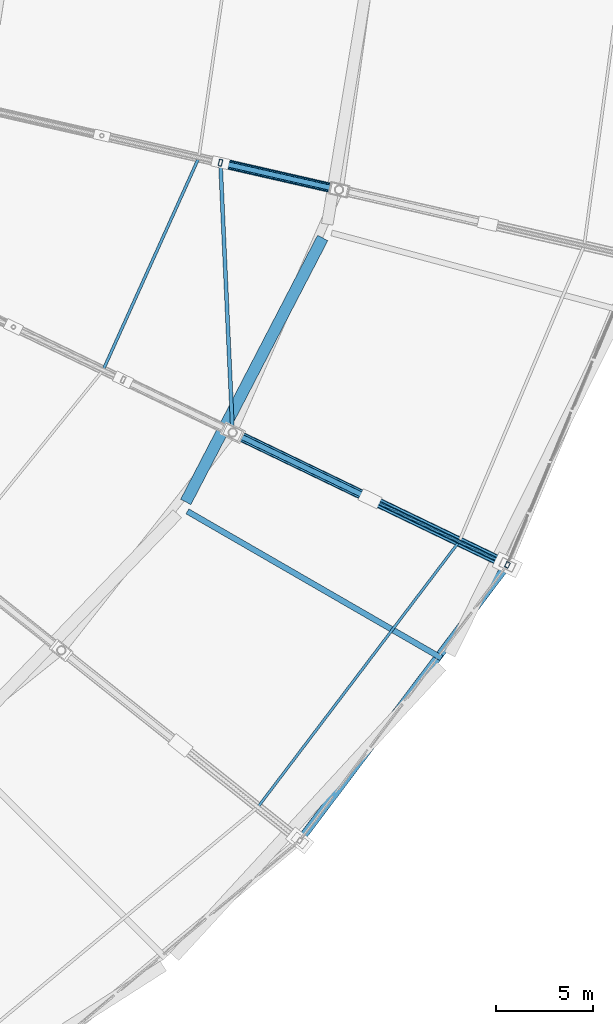
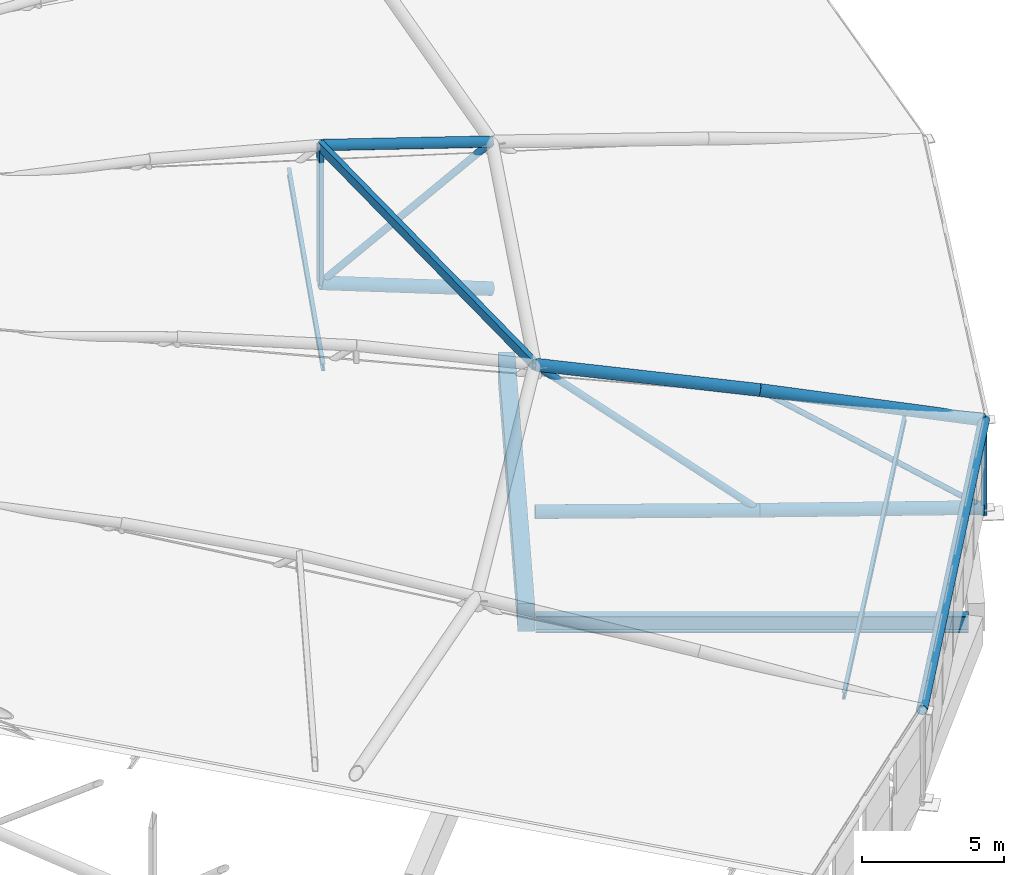
# One storey, part 67 of 108: 15 members, 2 beams.
"""IFC4 building model written with IfcOpenShell, lengths in metres."""

from ifc_helpers import new_model, si_unit, direction, frame, origin, origin_2d, place, context, subcontext, project, spatial, rectangle, hollow_rectangle, hollow_circle, i_section, extrude, material, material_profile, profile_set, type_object, element, save


model = new_model("IFC4")

# Units and contexts
model_context = context("Model", 3, precision=1e-05, world=origin(), true_north=direction((0.0, 1.0)))
body_context = subcontext(model_context, "Body", "Model", "MODEL_VIEW")
ifc_project = project(units=[si_unit("LENGTHUNIT", "METRE"), si_unit("AREAUNIT", "SQUARE_METRE"), si_unit("VOLUMEUNIT", "CUBIC_METRE"), si_unit("PLANEANGLEUNIT", "RADIAN"), si_unit("MASSUNIT", "GRAM", prefix="KILO")], contexts=[model_context])

# Site, building, storey
site_placement = place(None, origin())
site = spatial("IfcSite", under=ifc_project, at=site_placement, CompositionType="ELEMENT")
building_placement = place(site_placement, origin())
building = spatial("IfcBuilding", under=site, at=building_placement, Name="Zevraka Park Crest Stadium", CompositionType="ELEMENT")
storey_placement = place(building_placement, frame((0.0, 0.0, 29.39990234375)))
storey = spatial("IfcBuildingStorey", under=building, at=storey_placement, Name="RF", CompositionType="ELEMENT", Elevation=29.39990234375)

# Beam
ifc_material_1 = material(Name="Steel S355", Category="steel")
ifc_material_profile_1 = material_profile(ifc_material_1, i_section(OverallWidth=0.300048828125, OverallDepth=0.699951171875, WebThickness=0.01708984375, FlangeThickness=0.031982421875, at=origin_2d()), Name="HEB 700")
ifc_profile_set_1 = profile_set([ifc_material_profile_1], Name="Steel S355")
beam_type_1 = type_object("IfcBeamType", Name="BG06", PredefinedType="BEAM", material=ifc_profile_set_1)
beam_1_placement = place(storey_placement, frame((176.779052734375, 62.10009765625, -0.534912109375), z_axis=(0.86601037836, -0.500026023896, 0.0), x_axis=(0.500026023896, 0.86601037836, 0.0)))
element("IfcBeam", 1, at=beam_1_placement, inside=storey, type_object=beam_type_1, Name="Radial Girder BG06 RF-BD-22", PredefinedType="BEAM", context=body_context, shape_type="SweptSolid", body=[
    extrude(i_section(OverallWidth=0.300048828125, OverallDepth=0.699951171875, WebThickness=0.01708984375, FlangeThickness=0.031982421875, at=origin_2d()), origin(), (0.0, 0.0, 1.0), 15.199462890625),
])

# Members
ifc_material_2 = material(Name="Steel S355", Category="steel")
ifc_material_profile_2 = material_profile(ifc_material_2, i_section(OverallWidth=0.14990234375, OverallDepth=0.300048828125, WebThickness=0.007080078125, FlangeThickness=0.0107421875, at=origin_2d()), Name="IPE 300")
ifc_profile_set_2 = profile_set([ifc_material_profile_2], Name="Steel S355")
member_type_1 = type_object("IfcMemberType", Name="PR02", PredefinedType="PURLIN", material=ifc_profile_set_2)
member_1_placement = place(storey_placement, frame((172.410888671875, 69.416015625, 7.47314453125), z_axis=(0.410939963153, 0.911662408287, 0.0), x_axis=(-0.911662408287, 0.410939963153, 0.0)))
element("IfcMember", 2, at=member_1_placement, inside=storey, type_object=member_type_1, Name="Canopy Roof Purlin PR02 OUTER-27-2", PredefinedType="PURLIN", context=body_context, shape_type="SweptSolid", body=[
    extrude(i_section(OverallWidth=0.14990234375, OverallDepth=0.300048828125, WebThickness=0.007080078125, FlangeThickness=0.0107421875, at=origin_2d()), origin(), (0.0, 0.0, 1.0), 12.068115234375),
])
ifc_material_3 = material(Name="Steel S355", Category="steel")
ifc_material_profile_3 = material_profile(ifc_material_3, i_section(OverallWidth=0.135009765625, OverallDepth=0.27001953125, WebThickness=0.006591796875, FlangeThickness=0.01025390625, at=origin_2d()), Name="IPE 270")
ifc_profile_set_3 = profile_set([ifc_material_profile_3], Name="Steel S355")
member_type_2 = type_object("IfcMemberType", Name="PR04", PredefinedType="PURLIN", material=ifc_profile_set_3)
member_2_placement = place(storey_placement, frame((180.428955078125, 46.781982421875, 4.302001953125), z_axis=(0.604210903158, 0.796824437693, 0.0), x_axis=(-0.796824437693, 0.604210903158, 0.0)))
element("IfcMember", 3, at=member_2_placement, inside=storey, type_object=member_type_2, Name="Canopy Roof Purlin PR04 OUTER-26-1", PredefinedType="PURLIN", context=body_context, shape_type="SweptSolid", body=[
    extrude(i_section(OverallWidth=0.135009765625, OverallDepth=0.27001953125, WebThickness=0.006591796875, FlangeThickness=0.01025390625, at=origin_2d()), origin(), (0.0, 0.0, 1.0), 17.25732421875),
])

# Beam
ifc_material_4 = material(Name="Concrete C40/50", Category="concrete")
ifc_material_profile_4 = material_profile(ifc_material_4, rectangle(XDim=0.60009765625, YDim=1.199951171875, at=origin_2d()), Name="RC 1200x600")
ifc_profile_set_4 = profile_set([ifc_material_profile_4], Name="Concrete C40/50")
beam_type_2 = type_object("IfcBeamType", Name="RB01", PredefinedType="BEAM", material=ifc_profile_set_4)
beam_2_placement = place(storey_placement, frame((176.694091796875, 62.5869140625, -0.599853515625), z_axis=(0.460343993973, 0.887740619333, 0.0), x_axis=(-0.887740619333, 0.460343993973, 0.0)))
element("IfcBeam", 4, at=beam_2_placement, inside=storey, type_object=beam_type_2, Name="Ring Beam RB01 RF-B-22", PredefinedType="BEAM", context=body_context, shape_type="SweptSolid", body=[
    extrude(rectangle(XDim=0.60009765625, YDim=1.199951171875, at=origin_2d()), origin(), (0.0, 0.0, 1.0), 15.405517578125),
])

# Members
ifc_material_5 = material(Name="Steel S355", Category="steel")
ifc_material_profile_5 = material_profile(ifc_material_5, hollow_circle(Radius=0.25390625, WallThickness=0.030029296875, at=origin_2d()), Name="CHS 508.0x30")
ifc_profile_set_5 = profile_set([ifc_material_profile_5], Name="Steel S355")
member_type_3 = type_object("IfcMemberType", Name="TC01", PredefinedType="CHORD", material=ifc_profile_set_5)
member_3_placement = place(storey_placement, frame((193.35693359375, 59.3291015625, 0.25), z_axis=(-0.900336253533, 0.433536413531, 0.037957986196), x_axis=(-0.433849072955, -0.900985561425, 0.0)))
element("IfcMember", 5, at=member_3_placement, inside=storey, type_object=member_type_3, Name="Roof Truss Bottom Chord TC01 T27-1", PredefinedType="CHORD", context=body_context, shape_type="SweptSolid", body=[
    extrude(hollow_circle(Radius=0.25390625, WallThickness=0.030029296875, at=origin_2d()), origin(), (0.0, 0.0, 1.0), 7.90478515625),
])
member_4_placement = place(storey_placement, frame((186.239990234375, 62.756103515625, 0.550048828125), z_axis=(-0.900077183538, 0.433475689729, 0.044270645899), x_axis=(-0.4339010975, -0.90096050834, 0.0)))
element("IfcMember", 6, at=member_4_placement, inside=storey, type_object=member_type_3, Name="Roof Truss Bottom Chord TC01 T27-2", PredefinedType="CHORD", context=body_context, shape_type="SweptSolid", body=[
    extrude(hollow_circle(Radius=0.25390625, WallThickness=0.030029296875, at=origin_2d()), origin(), (0.0, 0.0, 1.0), 7.908203125),
])
member_5_placement = place(storey_placement, frame((184.632080078125, 78.760009765625, 0.900146484375), z_axis=(-0.946688466518, 0.216107475285, 0.2389110849), x_axis=(-0.222552266698, -0.974920760158, 0.0)))
element("IfcMember", 7, at=member_5_placement, inside=storey, type_object=member_type_3, Name="Roof Truss Bottom Chord TC01 T28-3", PredefinedType="CHORD", context=body_context, shape_type="SweptSolid", body=[
    extrude(hollow_circle(Radius=0.25390625, WallThickness=0.030029296875, at=origin_2d()), origin(), (0.0, 0.0, 1.0), 6.488037109375),
])
ifc_material_6 = material(Name="Steel S355", Category="steel")
ifc_material_profile_6 = material_profile(ifc_material_6, hollow_circle(Radius=0.228515625, WallThickness=0.02490234375, at=origin_2d()), Name="CHS 457.0x25")
ifc_profile_set_6 = profile_set([ifc_material_profile_6], Name="Steel S355")
member_type_4 = type_object("IfcMemberType", Name="TC02", PredefinedType="CHORD", material=ifc_profile_set_6)
member_6_placement = place(storey_placement, frame((193.35693359375, 59.3291015625, 4.0), z_axis=(-0.88081326699, 0.424135564088, 0.210421035001), x_axis=(-0.433849072955, -0.900985561425, 0.0)))
element("IfcMember", 8, at=member_6_placement, inside=storey, type_object=member_type_4, Name="Roof Truss Top Chord TC02 T27-1", PredefinedType="CHORD", context=body_context, shape_type="SweptSolid", body=[
    extrude(hollow_circle(Radius=0.228515625, WallThickness=0.02490234375, at=origin_2d()), origin(), (0.0, 0.0, 1.0), 8.080078125),
])
member_7_placement = place(storey_placement, frame((186.239990234375, 62.756103515625, 5.7001953125), z_axis=(-0.885147609598, 0.426285631499, 0.186532221347), x_axis=(-0.4339010975, -0.90096050834, 0.0)))
element("IfcMember", 9, at=member_7_placement, inside=storey, type_object=member_type_4, Name="Roof Truss Top Chord TC02 T27-2", PredefinedType="CHORD", context=body_context, shape_type="SweptSolid", body=[
    extrude(hollow_circle(Radius=0.228515625, WallThickness=0.02490234375, at=origin_2d()), origin(), (0.0, 0.0, 1.0), 8.04150390625),
])
ifc_material_7 = material(Name="Steel S355", Category="steel")
ifc_material_profile_7 = material_profile(ifc_material_7, hollow_circle(Radius=0.203125, WallThickness=0.02001953125, at=origin_2d()), Name="CHS 406.4x20")
ifc_profile_set_7 = profile_set([ifc_material_profile_7], Name="Steel S355")
member_type_5 = type_object("IfcMemberType", Name="TC03", PredefinedType="CHORD", material=ifc_profile_set_7)
member_8_placement = place(storey_placement, frame((184.632080078125, 78.760009765625, 7.2001953125), z_axis=(-0.959076254167, 0.218935325848, 0.179555177563), x_axis=(-0.222552266698, -0.974920760158, 0.0)))
element("IfcMember", 10, at=member_8_placement, inside=storey, type_object=member_type_5, Name="Roof Truss Top Chord TC03 T28-3", PredefinedType="CHORD", context=body_context, shape_type="SweptSolid", body=[
    extrude(hollow_circle(Radius=0.203125, WallThickness=0.02001953125, at=origin_2d()), origin(), (0.0, 0.0, 1.0), 6.404052734375),
])
member_9_placement = place(storey_placement, frame((182.59912109375, 45.051025390625, 4.0), z_axis=(0.601761875222, 0.798675557113, 0.0), x_axis=(-0.798675557113, 0.601761875222, 0.0)))
element("IfcMember", 11, at=member_9_placement, inside=storey, type_object=member_type_5, Name="Roof Outer Canopy Ring Chord TC03 26", PredefinedType="CHORD", context=body_context, shape_type="SweptSolid", body=[
    extrude(hollow_circle(Radius=0.203125, WallThickness=0.02001953125, at=origin_2d()), origin(), (0.0, 0.0, 1.0), 17.877197265625),
])
ifc_material_8 = material(Name="Steel S355", Category="steel")
ifc_material_profile_8 = material_profile(ifc_material_8, hollow_circle(Radius=0.136474609375, WallThickness=0.012451171875, at=origin_2d()), Name="CHS 273.0x12.5")
ifc_profile_set_8 = profile_set([ifc_material_profile_8], Name="Steel S355")
member_type_6 = type_object("IfcMemberType", Name="WB01", PredefinedType="BRACE", material=ifc_profile_set_8)
member_10_placement = place(storey_placement, frame((186.239990234375, 62.756103515625, 0.550048828125), z_axis=(-0.689274928497, 0.331953670761, 0.643977354736), x_axis=(-0.4339010975, -0.90096050834, 0.0)))
element("IfcMember", 12, at=member_10_placement, inside=storey, type_object=member_type_6, Name="Roof Truss Web Diagonal WB01 T27-2", PredefinedType="BRACE", context=body_context, shape_type="SweptSolid", body=[
    extrude(hollow_circle(Radius=0.136474609375, WallThickness=0.012451171875, at=origin_2d()), origin(), (0.0, 0.0, 1.0), 10.32666015625),
])
member_11_placement = place(storey_placement, frame((178.489990234375, 80.162109375, 2.4501953125), z_axis=(0.778455428701, -0.177703693737, 0.602020384005), x_axis=(0.222552266698, 0.974920760158, 0.0)))
element("IfcMember", 13, at=member_11_placement, inside=storey, type_object=member_type_6, Name="Roof Truss Web Diagonal WB01 T28-3", PredefinedType="BRACE", context=body_context, shape_type="SweptSolid", body=[
    extrude(hollow_circle(Radius=0.136474609375, WallThickness=0.012451171875, at=origin_2d()), origin(), (0.0, 0.0, 1.0), 7.89013671875),
])
ifc_material_9 = material(Name="Steel S355", Category="steel")
ifc_material_profile_9 = material_profile(ifc_material_9, hollow_circle(Radius=0.109619140625, WallThickness=0.010009765625, at=origin_2d()), Name="CHS 219.1x10")
ifc_profile_set_9 = profile_set([ifc_material_profile_9], Name="Steel S355")
member_type_7 = type_object("IfcMemberType", Name="WB02", PredefinedType="BRACE", material=ifc_profile_set_9)
member_12_placement = place(storey_placement, frame((193.35693359375, 59.3291015625, 0.25), z_axis=(-0.741590296153, 0.357095913934, 0.567914025979), x_axis=(-0.433849072955, -0.900985561425, 0.0)))
element("IfcMember", 14, at=member_12_placement, inside=storey, type_object=member_type_7, Name="Roof Truss Web Diagonal WB02 T27-1", PredefinedType="BRACE", context=body_context, shape_type="SweptSolid", body=[
    extrude(hollow_circle(Radius=0.109619140625, WallThickness=0.010009765625, at=origin_2d()), origin(), (0.0, 0.0, 1.0), 9.596923828125),
])
ifc_material_10 = material(Name="Steel S355", Category="steel")
ifc_material_profile_10 = material_profile(ifc_material_10, hollow_rectangle(XDim=0.199951171875, YDim=0.300048828125, WallThickness=0.012451171875, at=origin_2d()), Name="RHS 300x200x12.5")
ifc_profile_set_10 = profile_set([ifc_material_profile_10], Name="Steel S355")
member_type_8 = type_object("IfcMemberType", Name="WB03", PredefinedType="BRACE", material=ifc_profile_set_10)
member_13_placement = place(storey_placement, frame((193.35693359375, 59.3291015625, 0.0), z_axis=(0.0, 0.0, 1.0), x_axis=(-0.90100131981, 0.43381634559, 0.0)))
element("IfcMember", 15, at=member_13_placement, inside=storey, type_object=member_type_8, Name="Roof Truss Anchor Strut WB03 T27-0", PredefinedType="BRACE", context=body_context, shape_type="SweptSolid", body=[
    extrude(hollow_rectangle(XDim=0.199951171875, YDim=0.300048828125, WallThickness=0.012451171875, at=origin_2d()), origin(), (0.0, 0.0, 1.0), 4.0),
])
ifc_material_11 = material(Name="Steel S355", Category="steel")
ifc_material_profile_11 = material_profile(ifc_material_11, hollow_rectangle(XDim=0.199951171875, YDim=0.39990234375, WallThickness=0.01611328125, at=origin_2d()), Name="RHS 400x200x16")
ifc_profile_set_11 = profile_set([ifc_material_profile_11], Name="Steel S355")
member_type_9 = type_object("IfcMemberType", Name="WB06", PredefinedType="BRACE", material=ifc_profile_set_11)
member_14_placement = place(storey_placement, frame((179.1220703125, 66.18408203125, 7.2001953125), z_axis=(-0.045021610298, 0.995622740833, 0.081904899384), x_axis=(-0.998979161537, -0.045173386125, 0.0)))
element("IfcMember", 16, at=member_14_placement, inside=storey, type_object=member_type_9, Name="Canopy Roof Wind Brace WB06 27", PredefinedType="BRACE", context=body_context, shape_type="SweptSolid", body=[
    extrude(hollow_rectangle(XDim=0.199951171875, YDim=0.39990234375, WallThickness=0.01611328125, at=origin_2d()), origin(), (0.0, 0.0, 1.0), 14.03955078125),
])
ifc_material_12 = material(Name="Steel S355", Category="steel")
ifc_material_profile_12 = material_profile(ifc_material_12, hollow_rectangle(XDim=0.175048828125, YDim=0.35009765625, WallThickness=0.012451171875, at=origin_2d()), Name="RHS 350x175x12.5")
ifc_profile_set_12 = profile_set([ifc_material_profile_12], Name="Steel S355")
member_type_10 = type_object("IfcMemberType", Name="WB09", PredefinedType="BRACE", material=ifc_profile_set_12)
member_15_placement = place(storey_placement, frame((178.489990234375, 80.162109375, 2.4501953125), z_axis=(0.0, 0.0, 1.0), x_axis=(-0.974916814618, 0.222569549971, 0.0)))
element("IfcMember", 17, at=member_15_placement, inside=storey, type_object=member_type_10, Name="Roof Truss Web Post WB09 T28-3", PredefinedType="BRACE", context=body_context, shape_type="SweptSolid", body=[
    extrude(hollow_rectangle(XDim=0.175048828125, YDim=0.35009765625, WallThickness=0.012451171875, at=origin_2d()), origin(), (0.0, 0.0, 1.0), 5.89990234375),
])

save(model, "model.ifc")
